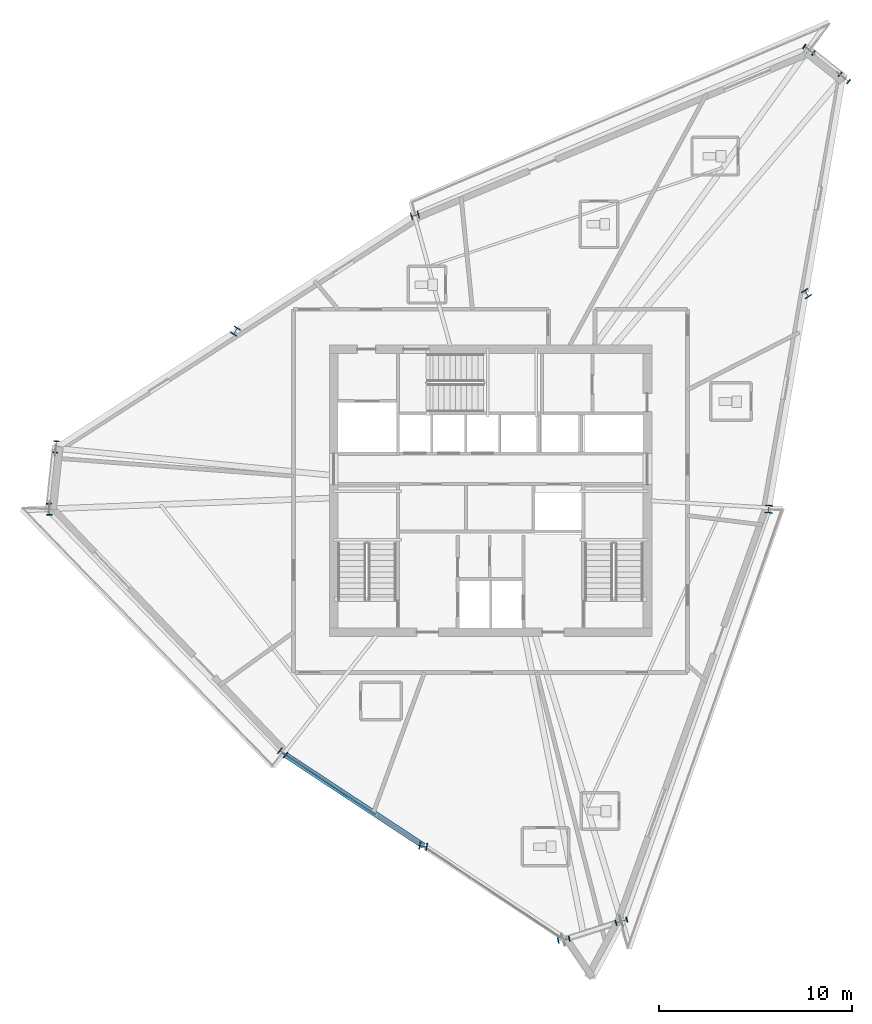
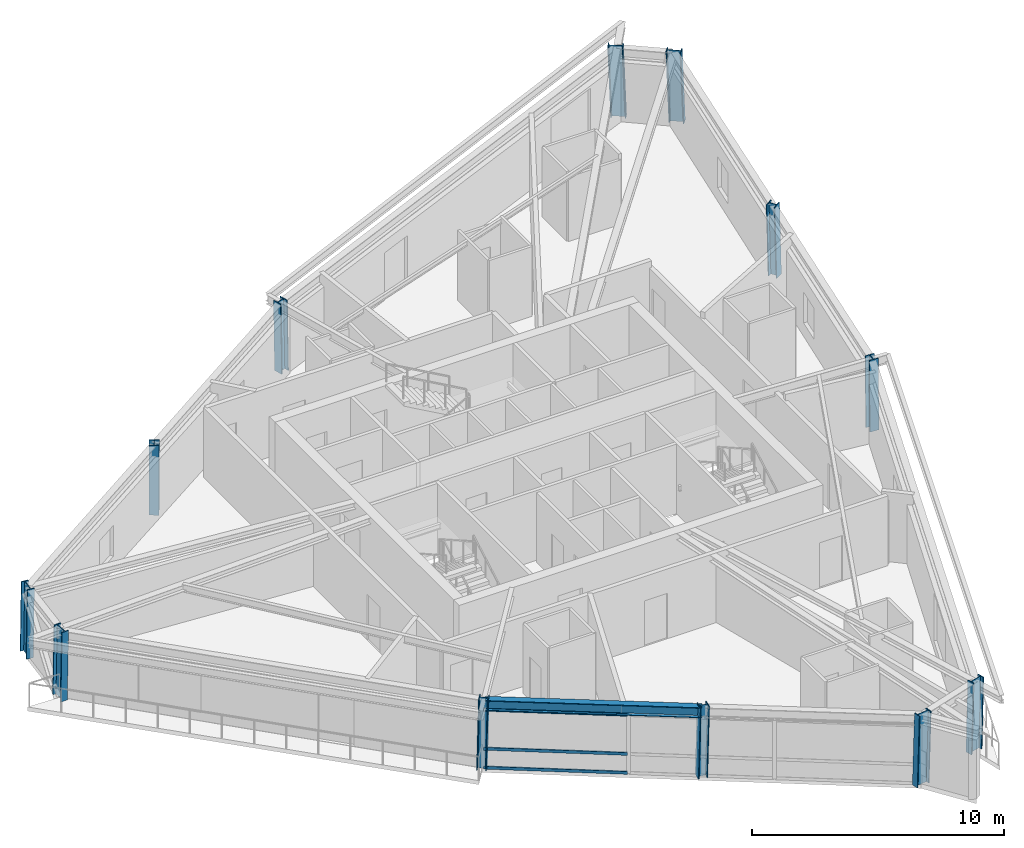
# One storey, part 1 of 15: 12 columns, 3 members, 1 beam, 1 element without a shape of its own.
"""IFC4 building model written with IfcOpenShell, lengths in metres."""

from ifc_helpers import new_model, si_unit, direction, frame, origin, origin_2d, place, context, subcontext, project, spatial, hollow_rectangle, i_section, extrude, source, transform, mapped, material, material_profile, profile_set, type_object, element, aggregate, save


model = new_model("IFC4")

# Units and contexts
model_context = context("Model", 3, precision=1e-05, world=origin(), true_north=direction((0.0, 1.0)))
body_context = subcontext(model_context, "Body", "Model", "MODEL_VIEW")
ifc_project = project(units=[si_unit("LENGTHUNIT", "METRE"), si_unit("AREAUNIT", "SQUARE_METRE"), si_unit("VOLUMEUNIT", "CUBIC_METRE"), si_unit("PLANEANGLEUNIT", "RADIAN"), si_unit("MASSUNIT", "GRAM", prefix="KILO")], contexts=[model_context])

# Site, building, storey
site_placement = place(None, origin())
site = spatial("IfcSite", under=ifc_project, at=site_placement, CompositionType="ELEMENT")
building_placement = place(site_placement, origin())
building = spatial("IfcBuilding", under=site, at=building_placement, Name="Olszyna Solenne Hotel", CompositionType="ELEMENT")
storey_placement = place(building_placement, frame((0.0, 0.0, 245.300048828125)))
storey = spatial("IfcBuildingStorey", under=building, at=storey_placement, Name="L65", CompositionType="ELEMENT", Elevation=245.300048828125)

# Columns
ifc_material_1 = material(Name="Steel S460M", Category="steel")
ifc_material_profile_1 = material_profile(ifc_material_1, i_section(OverallWidth=0.304931640625, OverallDepth=0.6201171875, WebThickness=0.02099609375, FlangeThickness=0.0400390625, at=origin_2d()), Name="HEM 600", Category="load-bearing")
ifc_profile_set_1 = profile_set([ifc_material_profile_1], Name="Steel S460M")
column_type_1 = type_object("IfcColumnType", Name="COL-K3", PredefinedType="COLUMN", material=ifc_profile_set_1)
shared_shape_1 = source(origin(), body_context, "Body", "SweptSolid", [
    extrude(i_section(OverallWidth=0.304931640625, OverallDepth=0.6201171875, WebThickness=0.02099609375, FlangeThickness=0.0400390625, at=origin_2d()), origin(), (0.0, 0.0, 1.0), 3.437255859375),
])
for number, where, z_axis, x_axis, name in (
    (1, (56.33349609375, 47.959228515625, 0.0), (-0.027132642249, 0.023226109988, 0.999361980235), (-0.65029991508, -0.759677576638, 0.0), "Perimeter framed-tube column COL-K3 C-L65-01"),
    (2, (54.4990234375, 49.421142578125, 0.0), (-0.028979363155, 0.020882188156, 0.999361861754), (-0.584618986546, -0.81130798133, 0.0), "Perimeter framed-tube column COL-K3 C-L65-02"),
):
    element("IfcColumn", number, at=place(storey_placement, frame(where, z_axis=z_axis, x_axis=x_axis)), inside=storey, type_object=column_type_1, Name=name, PredefinedType="COLUMN", context=body_context, shape_type="MappedRepresentation", body=[
        mapped(shared_shape_1, transform((0.0, 0.0, 0.0), x_axis=(1.0, 0.0, 0.0), y_axis=(0.0, 1.0, 0.0), z_axis=(0.0, 0.0, 1.0), scale=1.0)),
    ])
ifc_material_profile_2 = material_profile(ifc_material_1, i_section(OverallWidth=0.40087890625, OverallDepth=0.39892578125, WebThickness=0.02197265625, FlangeThickness=0.034423828125, at=origin_2d()), Name="HD 400x314", Category="load-bearing")
ifc_profile_set_2 = profile_set([ifc_material_profile_2], Name="Steel S460M")
column_type_2 = type_object("IfcColumnType", Name="COL-T5", PredefinedType="COLUMN", material=ifc_profile_set_2)
shared_shape_2 = source(origin(), body_context, "Body", "SweptSolid", [
    extrude(i_section(OverallWidth=0.40087890625, OverallDepth=0.39892578125, WebThickness=0.02197265625, FlangeThickness=0.034423828125, at=origin_2d()), origin(), (0.0, 0.0, 1.0), 3.435546875),
])
for number, where, z_axis, x_axis, name in (
    (3, (34.097900390625, 40.862060546875, 0.0), (-0.018120467412, -0.004974245956, 0.999823437182), (0.264716981781, -0.964326147917, 0.0), "Perimeter framed-tube column COL-T5 C-L65-03"),
    (4, (52.40771484375, 25.638671875, 0.0), (0.001208042101, 0.018262754122, 0.999832492194), (-0.997819383739, 0.066003616823, 0.0), "Perimeter framed-tube column COL-T5 C-L65-11"),
):
    element("IfcColumn", number, at=place(storey_placement, frame(where, z_axis=z_axis, x_axis=x_axis)), inside=storey, type_object=column_type_2, Name=name, PredefinedType="COLUMN", context=body_context, shape_type="MappedRepresentation", body=[
        mapped(shared_shape_2, transform((0.0, 0.0, 0.0), x_axis=(1.0, 0.0, 0.0), y_axis=(0.0, 1.0, 0.0), z_axis=(0.0, 0.0, 1.0), scale=1.0)),
    ])
shared_shape_3 = source(origin(), body_context, "Body", "SweptSolid", [
    extrude(i_section(OverallWidth=0.40087890625, OverallDepth=0.39892578125, WebThickness=0.02197265625, FlangeThickness=0.034423828125, at=origin_2d()), origin(), (0.0, 0.0, 1.0), 3.435791015625),
])
for number, where, z_axis, x_axis, name in (
    (5, (24.7939453125, 34.87841796875, 0.0), (-0.010445709399, -0.016841041685, 0.999803613951), (0.849806327229, -0.527095063724, 0.0), "Perimeter framed-tube column COL-T5 C-L65-04"),
    (6, (27.22265625, 13.03369140625, 0.0), (0.017266606627, -0.013642750915, 0.999757840501), (0.61995831768, 0.784634745814, 0.0), "Perimeter framed-tube column COL-T5 C-L65-07"),
):
    element("IfcColumn", number, at=place(storey_placement, frame(where, z_axis=z_axis, x_axis=x_axis)), inside=storey, type_object=column_type_2, Name=name, PredefinedType="COLUMN", context=body_context, shape_type="MappedRepresentation", body=[
        mapped(shared_shape_3, transform((0.0, 0.0, 0.0), x_axis=(1.0, 0.0, 0.0), y_axis=(0.0, 1.0, 0.0), z_axis=(0.0, 0.0, 1.0), scale=1.0)),
    ])
shared_shape_4 = source(origin(), body_context, "Body", "SweptSolid", [
    extrude(i_section(OverallWidth=0.304931640625, OverallDepth=0.6201171875, WebThickness=0.02099609375, FlangeThickness=0.0400390625, at=origin_2d()), origin(), (0.0, 0.0, 1.0), 3.4365234375),
])
for number, where, z_axis, x_axis, name in (
    (7, (15.490234375, 28.894287109375, 0.0), (-0.002841757073, -0.02855965858, 0.999588050308), (0.995086086084, -0.099013540904, 0.0), "Perimeter framed-tube column COL-K3 C-L65-05"),
    (8, (15.144775390625, 25.661865234375, 0.0), (0.00127877648, -0.029056643354, 0.999576948618), (0.999032974154, 0.043967221356, 0.0), "Perimeter framed-tube column COL-K3 C-L65-06"),
    (9, (41.773681640625, 3.3583984375, 0.0), (0.029482214432, 0.004830820678, 0.999553631479), (-0.161699102167, 0.986840108811, 0.0), "Perimeter framed-tube column COL-K3 C-L65-09"),
    (10, (44.758544921875, 4.30517578125, 0.0), (0.028274763341, 0.008667138512, 0.999562613581), (-0.293072848881, 0.956090113561, 0.0), "Perimeter framed-tube column COL-K3 C-L65-10"),
):
    element("IfcColumn", number, at=place(storey_placement, frame(where, z_axis=z_axis, x_axis=x_axis)), inside=storey, type_object=column_type_1, Name=name, PredefinedType="COLUMN", context=body_context, shape_type="MappedRepresentation", body=[
        mapped(shared_shape_4, transform((0.0, 0.0, 0.0), x_axis=(1.0, 0.0, 0.0), y_axis=(0.0, 1.0, 0.0), z_axis=(0.0, 0.0, 1.0), scale=1.0)),
    ])
shared_shape_5 = source(origin(), body_context, "Body", "SweptSolid", [
    extrude(i_section(OverallWidth=0.40087890625, OverallDepth=0.39892578125, WebThickness=0.02197265625, FlangeThickness=0.034423828125, at=origin_2d()), origin(), (0.0, 0.0, 1.0), 3.43603515625),
])
for number, where, z_axis, x_axis, name in (
    (11, (34.498046875, 8.19580078125, 0.0), (0.023447489165, -0.004334232846, 0.999715674418), (0.181769137038, 0.983341233154, 0.0), "Perimeter framed-tube column COL-T5 C-L65-08"),
    (12, (54.37060546875, 36.798828125, 0.0), (-0.013002478076, 0.02081817528, 0.999698724187), (-0.848160890324, -0.529738713069, 0.0), "Perimeter framed-tube column COL-T5 C-L65-12"),
):
    element("IfcColumn", number, at=place(storey_placement, frame(where, z_axis=z_axis, x_axis=x_axis)), inside=storey, type_object=column_type_2, Name=name, PredefinedType="COLUMN", context=body_context, shape_type="MappedRepresentation", body=[
        mapped(shared_shape_5, transform((0.0, 0.0, 0.0), x_axis=(1.0, 0.0, 0.0), y_axis=(0.0, 1.0, 0.0), z_axis=(0.0, 0.0, 1.0), scale=1.0)),
    ])

# Beam
ifc_material_2 = material(Name="Steel S355J2", Category="steel")
ifc_material_profile_3 = material_profile(ifc_material_2, i_section(OverallWidth=0.300048828125, OverallDepth=0.5, WebThickness=0.014404296875, FlangeThickness=0.028076171875, at=origin_2d()), Name="HEB 500", Category="load-bearing")
ifc_profile_set_3 = profile_set([ifc_material_profile_3], Name="Steel S355J2")
beam_type = type_object("IfcBeamType", Name="BM-S3", PredefinedType="BEAM", material=ifc_profile_set_3)
shared_shape_6 = source(origin(), body_context, "Body", "SweptSolid", [
    extrude(i_section(OverallWidth=0.300048828125, OverallDepth=0.5, WebThickness=0.014404296875, FlangeThickness=0.028076171875, at=origin_2d()), origin(), (0.0, 0.0, 1.0), 8.616943359375),
])
beam_placement = place(storey_placement, frame((27.33203125, 12.95361328125, 3.1298828125), z_axis=(0.835132137591, -0.550049373022, 0.0), x_axis=(0.550049373022, 0.835132137591, 0.0)))
element("IfcBeam", 13, at=beam_placement, inside=storey, type_object=beam_type, Name="Perimeter spandrel beam BM-S3 B-L65-1918", PredefinedType="BEAM", context=body_context, shape_type="MappedRepresentation", body=[
    mapped(shared_shape_6, transform((0.0, 0.0, 0.0), x_axis=(1.0, 0.0, 0.0), y_axis=(0.0, 1.0, 0.0), z_axis=(0.0, 0.0, 1.0), scale=1.0)),
])

# Curtain wall, members
ifc_material_3 = material(Name="Anodised bronze aluminium", Category="aluminium")
curtain_wall_type = type_object("IfcCurtainWallType", Name="CW-SYS-4", PredefinedType="NOTDEFINED", material=ifc_material_3)
curtain_wall_placement = place(storey_placement, origin())
curtain_wall = element("IfcCurtainWall", 14, at=curtain_wall_placement, inside=storey, type_object=curtain_wall_type, Name="Unitised curtain wall CW-SYS-4 CW-L65-01", PredefinedType="NOTDEFINED")
ifc_material_profile_4 = material_profile(ifc_material_3, hollow_rectangle(XDim=0.06494140625, YDim=0.139892578125, WallThickness=0.00390625, at=origin_2d()), Name="TRAN 140x65x4", Category="load-bearing")
ifc_profile_set_4 = profile_set([ifc_material_profile_4], Name="Anodised bronze aluminium")
member_type = type_object("IfcMemberType", Name="CW-T2", PredefinedType="USERDEFINED", material=ifc_profile_set_4)
shared_shape_7 = source(origin(), body_context, "Body", "SweptSolid", [
    extrude(hollow_rectangle(XDim=0.06494140625, YDim=0.139892578125, WallThickness=0.00390625, at=origin_2d()), origin(), (0.0, 0.0, 1.0), 5.727294921875),
])
member_1_placement = place(storey_placement, frame((27.276611328125, 12.99755859375, 0.032470703125), z_axis=(0.832725156864, -0.55368656578, 0.0), x_axis=(0.55368656578, 0.832725156864, 0.0)))
member_1 = element("IfcMember", 15, at=member_1_placement, type_object=member_type, Name="Curtain-wall transom CW-T2 CT-L65-01-01", ObjectType="TRANSOM", PredefinedType="USERDEFINED", context=body_context, shape_type="MappedRepresentation", body=[
    mapped(shared_shape_7, transform((0.0, 0.0, 0.0), x_axis=(1.0, 0.0, 0.0), y_axis=(0.0, 1.0, 0.0), z_axis=(0.0, 0.0, 1.0), scale=1.0)),
])
member_2_placement = place(storey_placement, frame((27.276611328125, 12.99755859375, 0.949951171875), z_axis=(0.832725156864, -0.55368656578, 0.0), x_axis=(0.55368656578, 0.832725156864, 0.0)))
member_2 = element("IfcMember", 16, at=member_2_placement, type_object=member_type, Name="Curtain-wall transom CW-T2 CT-L65-01-02", ObjectType="TRANSOM", PredefinedType="USERDEFINED", context=body_context, shape_type="MappedRepresentation", body=[
    mapped(shared_shape_7, transform((0.0, 0.0, 0.0), x_axis=(1.0, 0.0, 0.0), y_axis=(0.0, 1.0, 0.0), z_axis=(0.0, 0.0, 1.0), scale=1.0)),
])
member_3_placement = place(storey_placement, frame((27.276611328125, 12.99755859375, 2.83935546875), z_axis=(0.832725156864, -0.55368656578, 0.0), x_axis=(0.55368656578, 0.832725156864, 0.0)))
member_3 = element("IfcMember", 17, at=member_3_placement, type_object=member_type, Name="Curtain-wall transom CW-T2 CT-L65-01-03", ObjectType="TRANSOM", PredefinedType="USERDEFINED", context=body_context, shape_type="MappedRepresentation", body=[
    mapped(shared_shape_7, transform((0.0, 0.0, 0.0), x_axis=(1.0, 0.0, 0.0), y_axis=(0.0, 1.0, 0.0), z_axis=(0.0, 0.0, 1.0), scale=1.0)),
])
aggregate(curtain_wall, [member_1, member_2, member_3])

save(model, "model.ifc")
